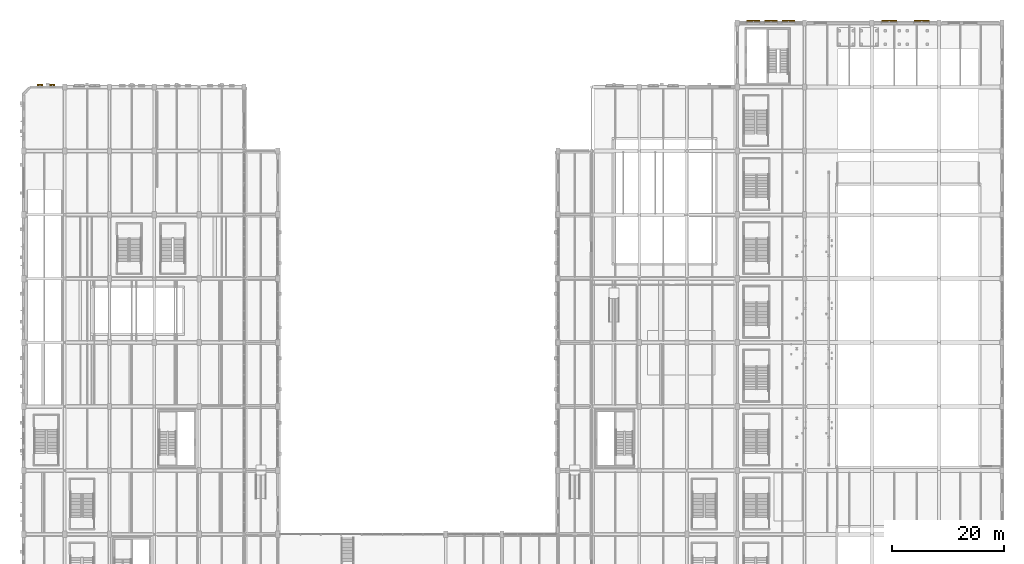
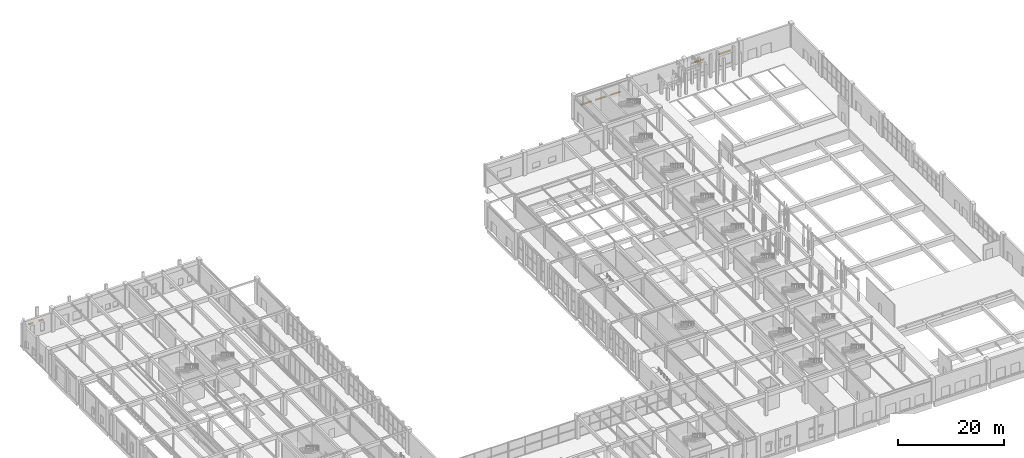
# One storey, part 113 of 113: 7 shading devices.
"""IFC4 building model written with IfcOpenShell, lengths in metres."""

from ifc_helpers import new_model, si_unit, direction, frame, origin, origin_2d, place, context, subcontext, project, spatial, rectangle, extrude, material, type_object, element, save


model = new_model("IFC4")

# Units and contexts
model_context = context("Model", 3, precision=1e-05, world=origin(), true_north=direction((0.0, 1.0)))
body_context = subcontext(model_context, "Body", "Model", "MODEL_VIEW")
ifc_project = project(units=[si_unit("LENGTHUNIT", "METRE"), si_unit("AREAUNIT", "SQUARE_METRE"), si_unit("VOLUMEUNIT", "CUBIC_METRE"), si_unit("PLANEANGLEUNIT", "RADIAN"), si_unit("MASSUNIT", "GRAM", prefix="KILO"), si_unit("POWERUNIT", "WATT"), si_unit("THERMODYNAMICTEMPERATUREUNIT", "KELVIN")], contexts=[model_context])

# Site, building, storey
site_placement = place(None, origin())
site = spatial("IfcSite", under=ifc_project, at=site_placement, CompositionType="ELEMENT")
building_placement = place(site_placement, origin())
building = spatial("IfcBuilding", under=site, at=building_placement, Name="Kelmbourne Parkland Aquatics Centre", CompositionType="ELEMENT")
storey_placement = place(building_placement, origin())
storey = spatial("IfcBuildingStorey", under=building, at=storey_placement, Name="L00", CompositionType="ELEMENT", Elevation=0.0)

# Shading devices
ifc_material = material(Name="Architectural extruded terracotta baguettes", Category="masonry")
shading_device_type = type_object("IfcShadingDeviceType", Name="SHD-JAL-1", PredefinedType="JALOUSIE", material=ifc_material)
for number, where, z_axis, x_axis, name in (
    (1, (3.60009765625, 103.7548828125, 2.7998046875), (0.0, 0.0, 1.0), (1.0, 0.0, 0.0), "Terracotta horizontal jalousie hood 032"),
    (2, (5.822998046875, 103.7548828125, 2.7998046875), (0.0, 0.0, 1.0), (1.0, 0.0, 0.0), "Terracotta horizontal jalousie hood 033"),
):
    element("IfcShadingDevice", number, at=place(storey_placement, frame(where, z_axis=z_axis, x_axis=x_axis)), inside=storey, type_object=shading_device_type, Name=name, PredefinedType="JALOUSIE", context=body_context, shape_type="SweptSolid", body=[
        extrude(rectangle(XDim=0.89990234375, YDim=0.300048828125, at=origin_2d()), origin(), (0.0, 0.0, 1.0), 0.239990234375),
    ])
for number, where, z_axis, x_axis, name in (
    (3, (130.876953125, 115.155029296875, 2.0), (0.0, 0.0, 1.0), (1.0, 0.0, 0.0), "Terracotta horizontal jalousie hood 068"),
    (4, (134.0, 115.155029296875, 2.0), (0.0, 0.0, 1.0), (1.0, 0.0, 0.0), "Terracotta horizontal jalousie hood 069"),
    (5, (137.123046875, 115.155029296875, 2.0), (0.0, 0.0, 1.0), (1.0, 0.0, 0.0), "Terracotta horizontal jalousie hood 070"),
):
    element("IfcShadingDevice", number, at=place(storey_placement, frame(where, z_axis=z_axis, x_axis=x_axis)), inside=storey, type_object=shading_device_type, Name=name, PredefinedType="JALOUSIE", context=body_context, shape_type="SweptSolid", body=[
        extrude(rectangle(XDim=2.300048828125, YDim=0.300048828125, at=origin_2d()), origin(), (0.0, 0.0, 1.0), 0.239990234375),
    ])
for number, where, z_axis, x_axis, name in (
    (6, (155.10205078125, 115.155029296875, 3.10009765625), (0.0, 0.0, 1.0), (1.0, 0.0, 0.0), "Terracotta horizontal jalousie hood 071"),
    (7, (160.89794921875, 115.155029296875, 3.10009765625), (0.0, 0.0, 1.0), (1.0, 0.0, 0.0), "Terracotta horizontal jalousie hood 072"),
):
    element("IfcShadingDevice", number, at=place(storey_placement, frame(where, z_axis=z_axis, x_axis=x_axis)), inside=storey, type_object=shading_device_type, Name=name, PredefinedType="JALOUSIE", context=body_context, shape_type="SweptSolid", body=[
        extrude(rectangle(XDim=2.75, YDim=0.300048828125, at=origin_2d()), origin(), (0.0, 0.0, 1.0), 0.239990234375),
    ])

save(model, "model.ifc")
